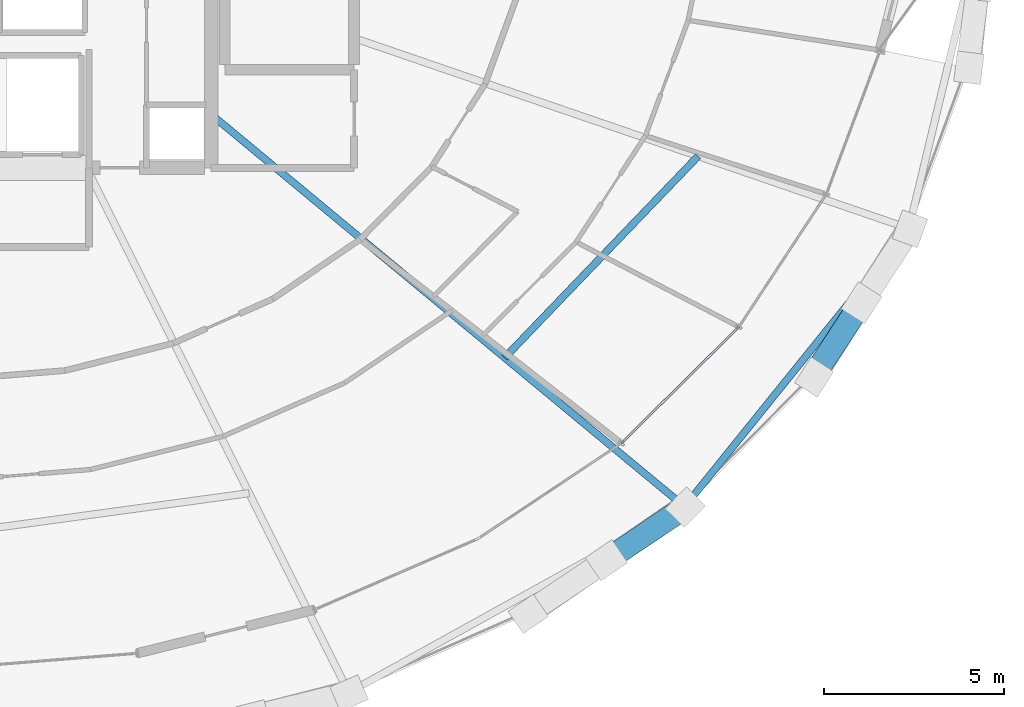
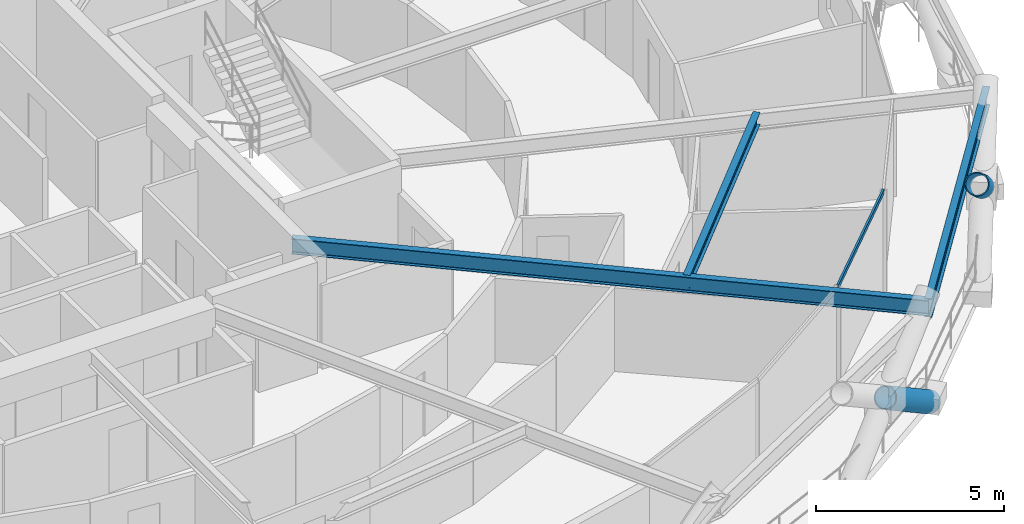
# One storey, part 8 of 21: 3 beams, 3 members, 1 element without a shape of its own.
"""IFC4 building model written with IfcOpenShell, lengths in metres."""

from ifc_helpers import new_model, si_unit, direction, frame, origin, origin_2d, place, context, subcontext, project, spatial, hollow_rectangle, hollow_circle, i_section, extrude, material, layer, layer_set, material_profile, profile_set, type_object, element, aggregate, save


model = new_model("IFC4")

# Units and contexts
model_context = context("Model", 3, precision=1e-05, world=origin(), true_north=direction((0.0, 1.0)))
body_context = subcontext(model_context, "Body", "Model", "MODEL_VIEW")
ifc_project = project(units=[si_unit("LENGTHUNIT", "METRE"), si_unit("AREAUNIT", "SQUARE_METRE"), si_unit("VOLUMEUNIT", "CUBIC_METRE"), si_unit("PLANEANGLEUNIT", "RADIAN"), si_unit("MASSUNIT", "GRAM", prefix="KILO")], contexts=[model_context])

# Site, building, storey
site_placement = place(None, origin())
site = spatial("IfcSite", under=ifc_project, at=site_placement, CompositionType="ELEMENT")
building_placement = place(site_placement, origin())
building = spatial("IfcBuilding", under=site, at=building_placement, Name="Veldorina Hangang Commons", CompositionType="ELEMENT")
storey_placement = place(building_placement, frame((0.0, 0.0, 98.800048828125)))
storey = spatial("IfcBuildingStorey", under=building, at=storey_placement, Name="L25", CompositionType="ELEMENT", Elevation=98.800048828125)

# Beams
ifc_material_1 = material(Name="Steel SM420-TMC", Category="steel")
ifc_material_profile_1 = material_profile(ifc_material_1, i_section(OverallWidth=0.199951171875, OverallDepth=0.5, WebThickness=0.010009765625, FlangeThickness=0.01611328125, FilletRadius=0.01611328125, at=origin_2d()), Name="H-500x200x10x16")
ifc_profile_set_1 = profile_set([ifc_material_profile_1], Name="Steel SM420-TMC")
beam_type_1 = type_object("IfcBeamType", Name="BM-FG500", PredefinedType="BEAM", material=ifc_profile_set_1)
beam_1_placement = place(storey_placement, frame((39.199951171875, 18.035888671875, 3.08984375), z_axis=(0.77009662976, -0.637927253559, 0.0), x_axis=(0.637927253559, 0.77009662976, 0.0)))
element("IfcBeam", 1, at=beam_1_placement, inside=storey, type_object=beam_type_1, Name="L25 radial floor girder 15", PredefinedType="BEAM", context=body_context, shape_type="SweptSolid", body=[
    extrude(i_section(OverallWidth=0.199951171875, OverallDepth=0.5, WebThickness=0.010009765625, FlangeThickness=0.01611328125, FilletRadius=0.01611328125, at=origin_2d()), origin(), (0.0, 0.0, 1.0), 17.117919921875),
])
ifc_material_2 = material(Name="Steel SM355-TMC", Category="steel")
ifc_material_profile_2 = material_profile(ifc_material_2, i_section(OverallWidth=0.199951171875, OverallDepth=0.39990234375, WebThickness=0.008056640625, FlangeThickness=0.012939453125, FilletRadius=0.012939453125, at=origin_2d()), Name="H-400x200x8x13")
ifc_profile_set_2 = profile_set([ifc_material_profile_2], Name="Steel SM355-TMC")
beam_type_2 = type_object("IfcBeamType", Name="BM-JST400", PredefinedType="JOIST", material=ifc_profile_set_2)
beam_2_placement = place(storey_placement, frame((47.373046875, 11.265380859375, 3.139892578125), z_axis=(0.692489359274, 0.721428088788, 0.0), x_axis=(-0.721428088788, 0.692489359274, 0.0)))
element("IfcBeam", 2, at=beam_2_placement, inside=storey, type_object=beam_type_2, Name="L25 secondary floor joist 15", PredefinedType="JOIST", context=body_context, shape_type="SweptSolid", body=[
    extrude(i_section(OverallWidth=0.199951171875, OverallDepth=0.39990234375, WebThickness=0.008056640625, FlangeThickness=0.012939453125, FilletRadius=0.012939453125, at=origin_2d()), origin(), (0.0, 0.0, 1.0), 7.7783203125),
])
ifc_material_profile_3 = material_profile(ifc_material_1, i_section(OverallWidth=0.199951171875, OverallDepth=0.60009765625, WebThickness=0.010986328125, FlangeThickness=0.01708984375, FilletRadius=0.01806640625, at=origin_2d()), Name="H-600x200x11x17")
ifc_profile_set_3 = profile_set([ifc_material_profile_3], Name="Steel SM420-TMC")
beam_type_3 = type_object("IfcBeamType", Name="BM-RB600", PredefinedType="BEAM", material=ifc_profile_set_3)
beam_3_placement = place(storey_placement, frame((52.38232421875, 7.115966796875, 3.0400390625), z_axis=(0.627843068855, 0.778339952008, 0.0), x_axis=(-0.778339952008, 0.627843068855, 0.0)))
element("IfcBeam", 3, at=beam_3_placement, inside=storey, type_object=beam_type_3, Name="L25 perimeter hoop ring beam 28", PredefinedType="BEAM", context=body_context, shape_type="SweptSolid", body=[
    extrude(i_section(OverallWidth=0.199951171875, OverallDepth=0.60009765625, WebThickness=0.010986328125, FlangeThickness=0.01708984375, FilletRadius=0.01806640625, at=origin_2d()), origin(), (0.0, 0.0, 1.0), 9.952392578125),
])

# Curtain wall, member
ifc_material_3 = material(Name="Glass Low-E Triple IGU", Category="glass")
ifc_layer = layer(ifc_material_3, 0.179931640625)
ifc_layer_set = layer_set([ifc_layer], Name="Glass Low-E Triple IGU")
curtain_wall_type = type_object("IfcCurtainWallType", Name="CW-SYS-Z1", PredefinedType="NOTDEFINED", material=ifc_layer_set)
curtain_wall_placement = place(storey_placement, origin())
curtain_wall = element("IfcCurtainWall", 4, at=curtain_wall_placement, inside=storey, type_object=curtain_wall_type, Name="L25 unitised curtain wall CW-L25-R2", PredefinedType="NOTDEFINED")
ifc_material_4 = material(Name="Aluminium Anodized AA6063-T6", Category="aluminium")
ifc_material_profile_4 = material_profile(ifc_material_4, hollow_rectangle(XDim=0.06005859375, YDim=0.139892578125, WallThickness=0.00341796875, at=origin_2d()), Name="ALU-RHS-140x60x3.5")
ifc_profile_set_4 = profile_set([ifc_material_profile_4], Name="Aluminium Anodized AA6063-T6")
member_type_1 = type_object("IfcMemberType", Name="CW-TRN-140", PredefinedType="USERDEFINED", material=ifc_profile_set_4)
member_1_placement = place(storey_placement, frame((50.62158203125, 8.883056640625, 3.260009765625), z_axis=(0.710938537326, 0.70325414762, 0.0), x_axis=(-0.70325414762, 0.710938537326, 0.0)))
member_1 = element("IfcMember", 5, at=member_1_placement, type_object=member_type_1, Name="CW-L25-R2 facet 3 transom 1", ObjectType="TRANSOM", PredefinedType="USERDEFINED", context=body_context, shape_type="SweptSolid", body=[
    extrude(hollow_rectangle(XDim=0.06005859375, YDim=0.139892578125, WallThickness=0.00341796875, at=origin_2d()), origin(), (0.0, 0.0, 1.0), 4.606689453125),
])
aggregate(curtain_wall, [member_1])

# Members
ifc_material_5 = material(Name="Steel SM460-TMC", Category="steel")
ifc_material_profile_5 = material_profile(ifc_material_5, hollow_circle(Radius=0.324951171875, WallThickness=0.031982421875, at=origin_2d()), Name="CHS-650x32")
ifc_profile_set_5 = profile_set([ifc_material_profile_5], Name="Steel SM460-TMC")
member_type_2 = type_object("IfcMemberType", Name="DG-CHS650", PredefinedType="BRACE", material=ifc_profile_set_5)
member_2_placement = place(storey_placement, frame((52.403564453125, 7.101318359375, 0.0), z_axis=(-0.686287030399, -0.461133647356, 0.562464106572), x_axis=(0.557718363697, -0.830030256554, 0.0)))
element("IfcMember", 6, at=member_2_placement, inside=storey, type_object=member_type_2, Name="L25 split perimeter diagrid lower brace 28", PredefinedType="BRACE", context=body_context, shape_type="SweptSolid", body=[
    extrude(hollow_circle(Radius=0.324951171875, WallThickness=0.031982421875, at=origin_2d()), origin(), (0.0, 0.0, 1.0), 3.2021484375),
])
member_3_placement = place(storey_placement, frame((57.309814453125, 12.79443359375, 1.801025390625), z_axis=(-0.442100050826, -0.67532825814, 0.590321343691), x_axis=(0.836663473972, -0.54771729142, 0.0)))
element("IfcMember", 7, at=member_3_placement, inside=storey, type_object=member_type_2, Name="L25 split perimeter diagrid upper brace 30", PredefinedType="BRACE", context=body_context, shape_type="SweptSolid", body=[
    extrude(hollow_circle(Radius=0.324951171875, WallThickness=0.031982421875, at=origin_2d()), origin(), (0.0, 0.0, 1.0), 3.047119140625),
])

save(model, "model.ifc")
